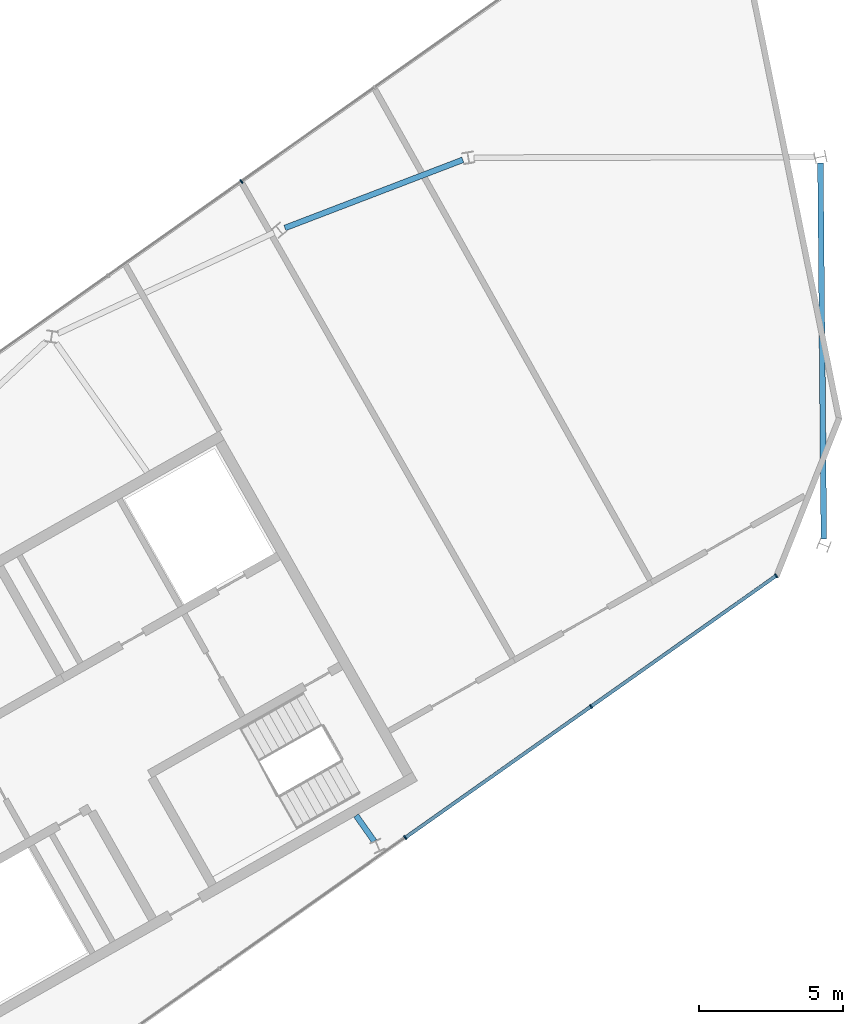
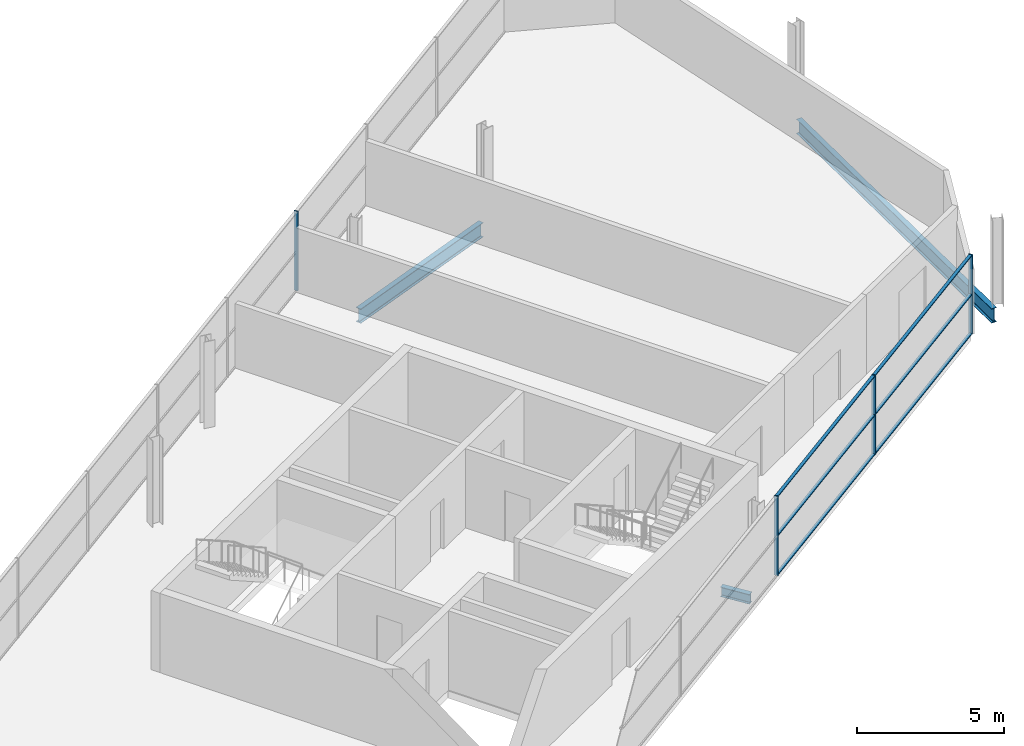
# One storey, part 6 of 10: 10 members, 3 beams, 2 elements without a shape of their own.
"""IFC4 building model written with IfcOpenShell, lengths in metres."""

from ifc_helpers import new_model, si_unit, direction, frame, origin, origin_2d, place, context, subcontext, project, spatial, rectangle, i_section, extrude, material, material_profile, profile_set, type_object, element, aggregate, save


model = new_model("IFC4")

# Units and contexts
model_context = context("Model", 3, precision=1e-05, world=origin(), true_north=direction((0.0, 1.0)))
body_context = subcontext(model_context, "Body", "Model", "MODEL_VIEW")
ifc_project = project(units=[si_unit("LENGTHUNIT", "METRE"), si_unit("AREAUNIT", "SQUARE_METRE"), si_unit("VOLUMEUNIT", "CUBIC_METRE"), si_unit("PLANEANGLEUNIT", "RADIAN"), si_unit("MASSUNIT", "GRAM", prefix="KILO")], contexts=[model_context])

# Site, building, storey
site_placement = place(None, origin())
site = spatial("IfcSite", under=ifc_project, at=site_placement, CompositionType="ELEMENT")
building_placement = place(site_placement, origin())
building = spatial("IfcBuilding", under=site, at=building_placement, Name="Binnacle Exchange Tower", CompositionType="ELEMENT")
storey_placement = place(building_placement, frame((0.0, 0.0, 364.89990234375)))
storey = spatial("IfcBuildingStorey", under=building, at=storey_placement, Name="L84", CompositionType="ELEMENT", Elevation=364.89990234375)

# Curtain wall, member
ifc_material_1 = material(Name="Bronze anodised aluminium frame", Category="aluminium")
curtain_wall_type = type_object("IfcCurtainWallType", Name="External wall - curtain wall crown top", PredefinedType="NOTDEFINED", material=ifc_material_1)
curtain_wall_1_placement = place(storey_placement, origin())
curtain_wall_1 = element("IfcCurtainWall", 1, at=curtain_wall_1_placement, inside=storey, type_object=curtain_wall_type, Name="External wall curtain wall CW6-C303 L84", PredefinedType="NOTDEFINED")
ifc_material_profile_1 = material_profile(ifc_material_1, rectangle(XDim=0.14990234375, YDim=0.050048828125, at=origin_2d()), Name="AL 50x150")
ifc_profile_set_1 = profile_set([ifc_material_profile_1], Name="Bronze anodised aluminium frame")
member_type_1 = type_object("IfcMemberType", Name="CW6 MULLION 50x150", PredefinedType="MULLION", material=ifc_profile_set_1)
member_1_placement = place(storey_placement, frame((-31.05078125, 58.73828125, 0.0), z_axis=(0.0, 0.0, 1.0), x_axis=(0.576854127285, -0.816847180221, 0.0)))
member_1 = element("IfcMember", 2, at=member_1_placement, type_object=member_type_1, Name="CW6-C303 mullion 4", PredefinedType="MULLION", context=body_context, shape_type="SweptSolid", body=[
    extrude(rectangle(XDim=0.14990234375, YDim=0.050048828125, at=origin_2d()), origin(), (0.0, 0.0, 1.0), 3.300048828125),
])
aggregate(curtain_wall_1, [member_1])

# Curtain wall, members
curtain_wall_2_placement = place(storey_placement, origin())
curtain_wall_2 = element("IfcCurtainWall", 3, at=curtain_wall_2_placement, inside=storey, type_object=curtain_wall_type, Name="External wall curtain wall CW6-C307 L84", PredefinedType="NOTDEFINED")
member_2_placement = place(storey_placement, frame((-25.340087890625, 35.882568359375, 0.0), z_axis=(0.0, 0.0, 1.0), x_axis=(-0.576854127285, 0.816847180221, 0.0)))
member_2 = element("IfcMember", 4, at=member_2_placement, type_object=member_type_1, Name="CW6-C307 mullion 3", PredefinedType="MULLION", context=body_context, shape_type="SweptSolid", body=[
    extrude(rectangle(XDim=0.14990234375, YDim=0.050048828125, at=origin_2d()), origin(), (0.0, 0.0, 1.0), 3.300048828125),
])
member_3_placement = place(storey_placement, frame((-18.87109375, 40.450927734375, 0.0), z_axis=(0.0, 0.0, 1.0), x_axis=(-0.576854127285, 0.816847180221, 0.0)))
member_3 = element("IfcMember", 5, at=member_3_placement, type_object=member_type_1, Name="CW6-C307 mullion 4", PredefinedType="MULLION", context=body_context, shape_type="SweptSolid", body=[
    extrude(rectangle(XDim=0.14990234375, YDim=0.050048828125, at=origin_2d()), origin(), (0.0, 0.0, 1.0), 3.300048828125),
])
member_4_placement = place(storey_placement, frame((-12.422607421875, 45.0048828125, 0.0), z_axis=(0.0, 0.0, 1.0), x_axis=(-0.576854127285, 0.816847180221, 0.0)))
member_4 = element("IfcMember", 6, at=member_4_placement, type_object=member_type_1, Name="CW6-C307 mullion 5", PredefinedType="MULLION", context=body_context, shape_type="SweptSolid", body=[
    extrude(rectangle(XDim=0.14990234375, YDim=0.050048828125, at=origin_2d()), origin(), (0.0, 0.0, 1.0), 3.300048828125),
])
ifc_material_profile_2 = material_profile(ifc_material_1, rectangle(XDim=0.1201171875, YDim=0.0400390625, at=origin_2d()), Name="AL 120x40")
ifc_profile_set_2 = profile_set([ifc_material_profile_2], Name="Bronze anodised aluminium frame")
member_type_2 = type_object("IfcMemberType", Name="CW6 TRANSOM 40x120", PredefinedType="USERDEFINED", material=ifc_profile_set_2)
member_5_placement = place(storey_placement, frame((-25.319580078125, 35.89697265625, 0.02001953125), z_axis=(0.816838873446, 0.576865889812, 0.0), x_axis=(-0.576865889812, 0.816838873446, 0.0)))
member_5 = element("IfcMember", 7, at=member_5_placement, type_object=member_type_2, Name="CW6-C307 transom 3.1", ObjectType="TRANSOM", PredefinedType="USERDEFINED", context=body_context, shape_type="SweptSolid", body=[
    extrude(rectangle(XDim=0.1201171875, YDim=0.0400390625, at=origin_2d()), origin(), (0.0, 0.0, 1.0), 7.869384765625),
])
member_6_placement = place(storey_placement, frame((-25.319580078125, 35.89697265625, 1.650146484375), z_axis=(0.816838873446, 0.576865889812, 0.0), x_axis=(-0.576865889812, 0.816838873446, 0.0)))
member_6 = element("IfcMember", 8, at=member_6_placement, type_object=member_type_2, Name="CW6-C307 transom 3.2", ObjectType="TRANSOM", PredefinedType="USERDEFINED", context=body_context, shape_type="SweptSolid", body=[
    extrude(rectangle(XDim=0.1201171875, YDim=0.0400390625, at=origin_2d()), origin(), (0.0, 0.0, 1.0), 7.869384765625),
])
member_7_placement = place(storey_placement, frame((-25.319580078125, 35.89697265625, 3.280029296875), z_axis=(0.816838873446, 0.576865889812, 0.0), x_axis=(-0.576865889812, 0.816838873446, 0.0)))
member_7 = element("IfcMember", 9, at=member_7_placement, type_object=member_type_2, Name="CW6-C307 transom 3.3", ObjectType="TRANSOM", PredefinedType="USERDEFINED", context=body_context, shape_type="SweptSolid", body=[
    extrude(rectangle(XDim=0.1201171875, YDim=0.0400390625, at=origin_2d()), origin(), (0.0, 0.0, 1.0), 7.869384765625),
])
member_8_placement = place(storey_placement, frame((-18.850830078125, 40.46533203125, 0.02001953125), z_axis=(0.816844504093, 0.576857916763, 0.0), x_axis=(-0.576857916763, 0.816844504093, 0.0)))
member_8 = element("IfcMember", 10, at=member_8_placement, type_object=member_type_2, Name="CW6-C307 transom 4.1", ObjectType="TRANSOM", PredefinedType="USERDEFINED", context=body_context, shape_type="SweptSolid", body=[
    extrude(rectangle(XDim=0.1201171875, YDim=0.0400390625, at=origin_2d()), origin(), (0.0, 0.0, 1.0), 7.844482421875),
])
member_9_placement = place(storey_placement, frame((-18.850830078125, 40.46533203125, 1.650146484375), z_axis=(0.816844504093, 0.576857916763, 0.0), x_axis=(-0.576857916763, 0.816844504093, 0.0)))
member_9 = element("IfcMember", 11, at=member_9_placement, type_object=member_type_2, Name="CW6-C307 transom 4.2", ObjectType="TRANSOM", PredefinedType="USERDEFINED", context=body_context, shape_type="SweptSolid", body=[
    extrude(rectangle(XDim=0.1201171875, YDim=0.0400390625, at=origin_2d()), origin(), (0.0, 0.0, 1.0), 7.844482421875),
])
member_10_placement = place(storey_placement, frame((-18.850830078125, 40.46533203125, 3.280029296875), z_axis=(0.816844504093, 0.576857916763, 0.0), x_axis=(-0.576857916763, 0.816844504093, 0.0)))
member_10 = element("IfcMember", 12, at=member_10_placement, type_object=member_type_2, Name="CW6-C307 transom 4.3", ObjectType="TRANSOM", PredefinedType="USERDEFINED", context=body_context, shape_type="SweptSolid", body=[
    extrude(rectangle(XDim=0.1201171875, YDim=0.0400390625, at=origin_2d()), origin(), (0.0, 0.0, 1.0), 7.844482421875),
])
aggregate(curtain_wall_2, [member_2, member_3, member_4, member_5, member_6, member_7, member_8, member_9, member_10])

# Beams
ifc_material_2 = material(Name="Steel S355 (SHN355)", Category="steel")
ifc_material_profile_3 = material_profile(ifc_material_2, i_section(OverallWidth=0.199951171875, OverallDepth=0.60009765625, WebThickness=0.010986328125, FlangeThickness=0.01708984375, FilletRadius=0.02197265625, at=origin_2d()), Name="H 600x200x11x17")
ifc_profile_set_3 = profile_set([ifc_material_profile_3], Name="Steel S355 (SHN355)")
beam_type_1 = type_object("IfcBeamType", Name="Edge girder H 600x200x11x17 Steel S355 (SHN355)", PredefinedType="SPANDREL", material=ifc_profile_set_3)
beam_1_placement = place(storey_placement, frame((-10.76220703125, 46.28662109375, -0.599853515625), z_axis=(-0.009040716184, 0.99995913189, 0.0), x_axis=(-0.99995913189, -0.009040716184, 0.0)))
element("IfcBeam", 13, at=beam_1_placement, inside=storey, type_object=beam_type_1, Name="S:BM:edge:L84:010", PredefinedType="SPANDREL", context=body_context, shape_type="SweptSolid", body=[
    extrude(i_section(OverallWidth=0.199951171875, OverallDepth=0.60009765625, WebThickness=0.010986328125, FlangeThickness=0.01708984375, FilletRadius=0.02197265625, at=origin_2d()), origin(), (0.0, 0.0, 1.0), 13.09716796875),
])
ifc_material_profile_4 = material_profile(ifc_material_2, i_section(OverallWidth=0.199951171875, OverallDepth=0.39990234375, WebThickness=0.008056640625, FlangeThickness=0.012939453125, FilletRadius=0.01611328125, at=origin_2d()), Name="H 400x200x8x13")
ifc_profile_set_4 = profile_set([ifc_material_profile_4], Name="Steel S355 (SHN355)")
beam_type_2 = type_object("IfcBeamType", Name="Floor beam H 400x200x8x13 Steel S355 (SHN355)", PredefinedType="BEAM", material=ifc_profile_set_4)
beam_2_placement = place(storey_placement, frame((-26.422607421875, 35.757568359375, -0.5), z_axis=(-0.57675330041, 0.81691837442, 0.0), x_axis=(-0.81691837442, -0.57675330041, 0.0)))
element("IfcBeam", 14, at=beam_2_placement, inside=storey, type_object=beam_type_2, Name="S:BM:cross:L84:015", PredefinedType="BEAM", context=body_context, shape_type="SweptSolid", body=[
    extrude(i_section(OverallWidth=0.199951171875, OverallDepth=0.39990234375, WebThickness=0.008056640625, FlangeThickness=0.012939453125, FilletRadius=0.01611328125, at=origin_2d()), origin(), (0.0, 0.0, 1.0), 1.09375),
])
ifc_material_profile_5 = material_profile(ifc_material_2, i_section(OverallWidth=0.199951171875, OverallDepth=0.60009765625, WebThickness=0.010986328125, FlangeThickness=0.01708984375, FilletRadius=0.02197265625, at=origin_2d()), Name="H 600x200x11x17")
ifc_profile_set_5 = profile_set([ifc_material_profile_5], Name="Steel S355 (SHN355)")
beam_type_3 = type_object("IfcBeamType", Name="Spine girder H 600x200x11x17 Steel S355 (SHN355)", PredefinedType="BEAM", material=ifc_profile_set_5)
beam_3_placement = place(storey_placement, frame((-23.3359375, 59.490478515625, -0.599853515625), z_axis=(-0.933819880573, -0.357743526352, 0.0), x_axis=(0.357743526352, -0.933819880573, 0.0)))
element("IfcBeam", 15, at=beam_3_placement, inside=storey, type_object=beam_type_3, Name="S:BM:spine:L84:002", PredefinedType="BEAM", context=body_context, shape_type="SweptSolid", body=[
    extrude(i_section(OverallWidth=0.199951171875, OverallDepth=0.60009765625, WebThickness=0.010986328125, FlangeThickness=0.01708984375, FilletRadius=0.02197265625, at=origin_2d()), origin(), (0.0, 0.0, 1.0), 6.635498046875),
])

save(model, "model.ifc")
